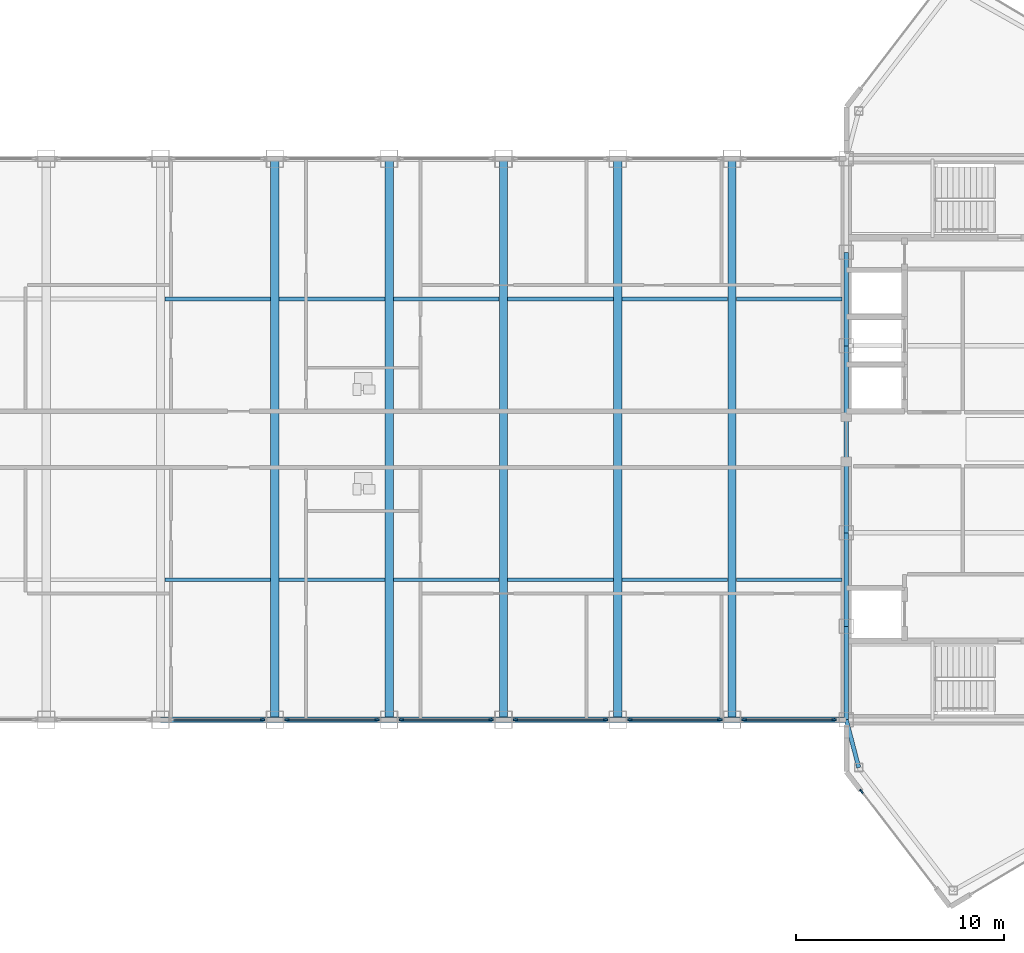
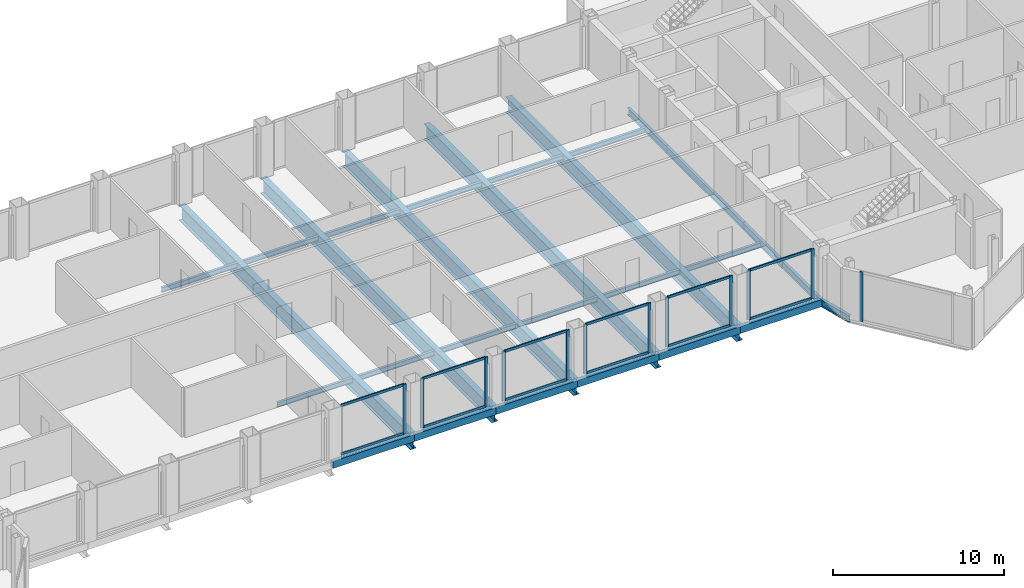
# One storey, part 13 of 29: 28 beams, 24 members, 7 elements without a shape of their own.
"""IFC4 building model written with IfcOpenShell, lengths in metres."""

from ifc_helpers import new_model, si_unit, direction, frame, origin, origin_2d, place, context, subcontext, project, spatial, rectangle, hollow_rectangle, i_section, extrude, source, transform, mapped, material, layer, layer_set, material_profile, profile_set, type_object, type_shapes, element, aggregate, save


model = new_model("IFC4")

# Units and contexts
model_context = context("Model", 3, precision=1e-05, world=origin(), true_north=direction((0.0, 1.0)))
body_context = subcontext(model_context, "Body", "Model", "MODEL_VIEW")
ifc_project = project(units=[si_unit("LENGTHUNIT", "METRE"), si_unit("AREAUNIT", "SQUARE_METRE"), si_unit("VOLUMEUNIT", "CUBIC_METRE"), si_unit("PLANEANGLEUNIT", "RADIAN"), si_unit("MASSUNIT", "GRAM", prefix="KILO")], contexts=[model_context])

# Site, building, storey
site_placement = place(None, origin())
site = spatial("IfcSite", under=ifc_project, at=site_placement, CompositionType="ELEMENT")
building_placement = place(site_placement, origin())
building = spatial("IfcBuilding", under=site, at=building_placement, Name="Seokmaru Belvedere", CompositionType="ELEMENT")
storey_placement = place(building_placement, frame((0.0, 0.0, 246.89990234375)))
storey = spatial("IfcBuildingStorey", under=building, at=storey_placement, Name="L65", CompositionType="ELEMENT", Elevation=246.89990234375)

# Beams
ifc_material_1 = material(Name="Steel SM355 (355 MPa)", Category="steel")
ifc_material_profile_1 = material_profile(ifc_material_1, i_section(OverallWidth=0.199951171875, OverallDepth=0.5, WebThickness=0.010009765625, FlangeThickness=0.01611328125, at=origin_2d()), Name="H-500x200x10x16")
ifc_profile_set_1 = profile_set([ifc_material_profile_1], Name="Steel SM355 (355 MPa)")
beam_type_1 = type_object("IfcBeamType", Name="Perimeter Spandrel Beam H-500", PredefinedType="SPANDREL", material=ifc_profile_set_1)
shared_shape_1 = source(origin(), body_context, "Body", "SweptSolid", [
    extrude(i_section(OverallWidth=0.199951171875, OverallDepth=0.5, WebThickness=0.010009765625, FlangeThickness=0.01611328125, at=origin_2d()), origin(), (0.0, 0.0, 1.0), 4.5),
])
for number, where, z_axis, x_axis, name in (
    (1, (27.5, -13.5, -0.469970703125), (0.0, 1.0, 0.0), (-1.0, 0.0, 0.0), "L65 E Portal Spine Spandrel 1"),
    (2, (27.5, -9.0, -0.469970703125), (0.0, 1.0, 0.0), (-1.0, 0.0, 0.0), "L65 E Portal Spine Spandrel 2"),
    (3, (27.5, 4.5, -0.469970703125), (0.0, 1.0, 0.0), (-1.0, 0.0, 0.0), "L65 E Portal Spine Spandrel 4"),
):
    element("IfcBeam", number, at=place(storey_placement, frame(where, z_axis=z_axis, x_axis=x_axis)), inside=storey, type_object=beam_type_1, Name=name, PredefinedType="SPANDREL", context=body_context, shape_type="MappedRepresentation", body=[
        mapped(shared_shape_1, transform((0.0, 0.0, 0.0), scale=1.0)),
    ])
shared_shape_2 = source(origin(), body_context, "Body", "SweptSolid", [
    extrude(i_section(OverallWidth=0.199951171875, OverallDepth=0.5, WebThickness=0.010009765625, FlangeThickness=0.01611328125, at=origin_2d()), origin(), (0.0, 0.0, 1.0), 9.0),
])
beam_1_placement = place(storey_placement, frame((27.5, -4.5, -0.469970703125), z_axis=(0.0, 1.0, 0.0), x_axis=(-1.0, 0.0, 0.0)))
element("IfcBeam", 4, at=beam_1_placement, inside=storey, type_object=beam_type_1, Name="L65 E Portal Spine Spandrel 3", PredefinedType="SPANDREL", context=body_context, shape_type="MappedRepresentation", body=[
    mapped(shared_shape_2, transform((0.0, 0.0, 0.0), scale=1.0)),
])
shared_shape_3 = source(origin(), body_context, "Body", "SweptSolid", [
    extrude(i_section(OverallWidth=0.199951171875, OverallDepth=0.5, WebThickness=0.010009765625, FlangeThickness=0.01611328125, at=origin_2d()), origin(), (0.0, 0.0, 1.0), 2.373046875),
])
type_shapes(beam_type_1, [shared_shape_1, shared_shape_2, shared_shape_3])
beam_2_placement = place(storey_placement, frame((28.10009765625, -15.7958984375, -0.469970703125), z_axis=(-0.252882558842, 0.967496982648, 0.0), x_axis=(-0.967496982648, -0.252882558842, 0.0)))
element("IfcBeam", 5, at=beam_2_placement, inside=storey, type_object=beam_type_1, Name="L65 E Shoulder Spine Spandrel S", PredefinedType="SPANDREL", context=body_context, shape_type="MappedRepresentation", body=[
    mapped(shared_shape_3, transform((0.0, 0.0, 0.0), scale=1.0)),
])
ifc_material_profile_2 = material_profile(ifc_material_1, i_section(OverallWidth=0.39990234375, OverallDepth=1.10009765625, WebThickness=0.02001953125, FlangeThickness=0.033935546875, at=origin_2d()), Name="BH-1100x400x20x34")
ifc_profile_set_2 = profile_set([ifc_material_profile_2], Name="Steel SM355 (355 MPa)")
beam_type_2 = type_object("IfcBeamType", Name="Sky-Gate Transverse Girder BH-1100", PredefinedType="BEAM", material=ifc_profile_set_2)
shared_shape_4 = source(origin(), body_context, "Body", "SweptSolid", [
    extrude(i_section(OverallWidth=0.39990234375, OverallDepth=1.10009765625, WebThickness=0.02001953125, FlangeThickness=0.033935546875, at=origin_2d()), origin(), (0.0, 0.0, 1.0), 27.0),
])
type_shapes(beam_type_2, [shared_shape_4])
for number, where, z_axis, x_axis, name in (
    (6, (0.0, -13.5, -0.77001953125), (0.0, 1.0, 0.0), (-1.0, 0.0, 0.0), "L65 Sky-Gate Transverse Girder 05"),
    (7, (5.5, -13.5, -0.77001953125), (0.0, 1.0, 0.0), (-1.0, 0.0, 0.0), "L65 Sky-Gate Transverse Girder 06"),
    (8, (11.0, -13.5, -0.77001953125), (0.0, 1.0, 0.0), (-1.0, 0.0, 0.0), "L65 Sky-Gate Transverse Girder 07"),
    (9, (16.5, -13.5, -0.77001953125), (0.0, 1.0, 0.0), (-1.0, 0.0, 0.0), "L65 Sky-Gate Transverse Girder 08"),
    (10, (22.0, -13.5, -0.77001953125), (0.0, 1.0, 0.0), (-1.0, 0.0, 0.0), "L65 Sky-Gate Transverse Girder 09"),
):
    element("IfcBeam", number, at=place(storey_placement, frame(where, z_axis=z_axis, x_axis=x_axis)), inside=storey, type_object=beam_type_2, Name=name, PredefinedType="BEAM", context=body_context, shape_type="MappedRepresentation", body=[
        mapped(shared_shape_4, transform((0.0, 0.0, 0.0), scale=1.0)),
    ])
ifc_material_profile_3 = material_profile(ifc_material_1, i_section(OverallWidth=0.175048828125, OverallDepth=0.35009765625, WebThickness=0.007080078125, FlangeThickness=0.010986328125, at=origin_2d()), Name="H-350x175x7x11")
ifc_profile_set_3 = profile_set([ifc_material_profile_3], Name="Steel SM355 (355 MPa)")
beam_type_3 = type_object("IfcBeamType", Name="Secondary Floor Joist H-300", PredefinedType="JOIST", material=ifc_profile_set_3)
shared_shape_5 = source(origin(), body_context, "Body", "SweptSolid", [
    extrude(i_section(OverallWidth=0.175048828125, OverallDepth=0.35009765625, WebThickness=0.007080078125, FlangeThickness=0.010986328125, at=origin_2d()), origin(), (0.0, 0.0, 1.0), 5.08984375),
])
type_shapes(beam_type_3, [shared_shape_5])
for number, where, z_axis, x_axis, name in (
    (11, (-5.294921875, -6.75, -0.39501953125), (1.0, 0.0, 0.0), (0.0, 1.0, 0.0), "L65 Sky-Gate Secondary Joist S-05"),
    (12, (0.205078125, -6.75, -0.39501953125), (1.0, 0.0, 0.0), (0.0, 1.0, 0.0), "L65 Sky-Gate Secondary Joist S-06"),
    (13, (5.705078125, -6.75, -0.39501953125), (1.0, 0.0, 0.0), (0.0, 1.0, 0.0), "L65 Sky-Gate Secondary Joist S-07"),
    (14, (11.205078125, -6.75, -0.39501953125), (1.0, 0.0, 0.0), (0.0, 1.0, 0.0), "L65 Sky-Gate Secondary Joist S-08"),
    (15, (16.705078125, -6.75, -0.39501953125), (1.0, 0.0, 0.0), (0.0, 1.0, 0.0), "L65 Sky-Gate Secondary Joist S-09"),
    (16, (22.205078125, -6.75, -0.39501953125), (1.0, 0.0, 0.0), (0.0, 1.0, 0.0), "L65 Sky-Gate Secondary Joist S-10"),
    (17, (-5.294921875, 6.75, -0.39501953125), (1.0, 0.0, 0.0), (0.0, 1.0, 0.0), "L65 Sky-Gate Secondary Joist N-05"),
    (18, (0.205078125, 6.75, -0.39501953125), (1.0, 0.0, 0.0), (0.0, 1.0, 0.0), "L65 Sky-Gate Secondary Joist N-06"),
    (19, (5.705078125, 6.75, -0.39501953125), (1.0, 0.0, 0.0), (0.0, 1.0, 0.0), "L65 Sky-Gate Secondary Joist N-07"),
    (20, (11.205078125, 6.75, -0.39501953125), (1.0, 0.0, 0.0), (0.0, 1.0, 0.0), "L65 Sky-Gate Secondary Joist N-08"),
    (21, (16.705078125, 6.75, -0.39501953125), (1.0, 0.0, 0.0), (0.0, 1.0, 0.0), "L65 Sky-Gate Secondary Joist N-09"),
    (22, (22.205078125, 6.75, -0.39501953125), (1.0, 0.0, 0.0), (0.0, 1.0, 0.0), "L65 Sky-Gate Secondary Joist N-10"),
):
    element("IfcBeam", number, at=place(storey_placement, frame(where, z_axis=z_axis, x_axis=x_axis)), inside=storey, type_object=beam_type_3, Name=name, PredefinedType="JOIST", context=body_context, shape_type="MappedRepresentation", body=[
        mapped(shared_shape_5, transform((0.0, 0.0, 0.0), scale=1.0)),
    ])
ifc_material_profile_4 = material_profile(ifc_material_1, hollow_rectangle(XDim=0.25, YDim=0.5, WallThickness=0.013916015625, at=origin_2d()), Name="RHS-500x250x14")
ifc_profile_set_4 = profile_set([ifc_material_profile_4], Name="Steel SM355 (355 MPa)")
beam_type_4 = type_object("IfcBeamType", Name="Bridge Edge Spandrel RHS-500", PredefinedType="SPANDREL", material=ifc_profile_set_4)
shared_shape_6 = source(origin(), body_context, "Body", "SweptSolid", [
    extrude(hollow_rectangle(XDim=0.25, YDim=0.5, WallThickness=0.013916015625, at=origin_2d()), origin(), (0.0, 0.0, 1.0), 5.5),
])
type_shapes(beam_type_4, [shared_shape_6])
for number, where, z_axis, x_axis, name in (
    (23, (-5.5, -13.5, -0.469970703125), (1.0, 0.0, 0.0), (0.0, 1.0, 0.0), "L65 Sky-Gate Bridge Edge Girder S-05"),
    (24, (0.0, -13.5, -0.469970703125), (1.0, 0.0, 0.0), (0.0, 1.0, 0.0), "L65 Sky-Gate Bridge Edge Girder S-06"),
    (25, (5.5, -13.5, -0.469970703125), (1.0, 0.0, 0.0), (0.0, 1.0, 0.0), "L65 Sky-Gate Bridge Edge Girder S-07"),
    (26, (11.0, -13.5, -0.469970703125), (1.0, 0.0, 0.0), (0.0, 1.0, 0.0), "L65 Sky-Gate Bridge Edge Girder S-08"),
    (27, (16.5, -13.5, -0.469970703125), (1.0, 0.0, 0.0), (0.0, 1.0, 0.0), "L65 Sky-Gate Bridge Edge Girder S-09"),
    (28, (22.0, -13.5, -0.469970703125), (1.0, 0.0, 0.0), (0.0, 1.0, 0.0), "L65 Sky-Gate Bridge Edge Girder S-10"),
):
    element("IfcBeam", number, at=place(storey_placement, frame(where, z_axis=z_axis, x_axis=x_axis)), inside=storey, type_object=beam_type_4, Name=name, PredefinedType="SPANDREL", context=body_context, shape_type="MappedRepresentation", body=[
        mapped(shared_shape_6, transform((0.0, 0.0, 0.0), scale=1.0)),
    ])

# Curtain wall, members
ifc_material_2 = material(Name="Bronze Triple Insulating Glass", Category="glass")
ifc_layer = layer(ifc_material_2, 0.219970703125)
ifc_layer_set = layer_set([ifc_layer], Name="Bronze Triple Insulating Glass")
curtain_wall_type = type_object("IfcCurtainWallType", Name="Sky-Gate Bridge Panorama Curtain Wall System CW-6", PredefinedType="NOTDEFINED", material=ifc_layer_set)
curtain_wall_1_placement = place(storey_placement, origin())
curtain_wall_1 = element("IfcCurtainWall", 29, at=curtain_wall_1_placement, inside=storey, type_object=curtain_wall_type, Name="L65 Curtain Wall BR_S05", PredefinedType="NOTDEFINED")
ifc_material_3 = material(Name="Anodised Bronze Aluminium", Category="aluminium")
ifc_material_profile_5 = material_profile(ifc_material_3, rectangle(XDim=0.074951171875, YDim=0.179931640625, at=origin_2d()), Name="CW-T-75x180")
ifc_profile_set_5 = profile_set([ifc_material_profile_5], Name="Anodised Bronze Aluminium")
member_type_1 = type_object("IfcMemberType", Name="Bronze Unitised Transom 75x180", PredefinedType="USERDEFINED", material=ifc_profile_set_5)
shared_shape_7 = source(origin(), body_context, "Body", "SweptSolid", [
    extrude(rectangle(XDim=0.074951171875, YDim=0.179931640625, at=origin_2d()), origin(), (0.0, 0.0, 1.0), 4.240234375),
])
type_shapes(member_type_1, [shared_shape_7])
member_1_placement = place(storey_placement, frame((-4.8701171875, -13.5, 0.03759765625), z_axis=(1.0, 0.0, 0.0), x_axis=(0.0, 1.0, 0.0)))
member_1 = element("IfcMember", 30, at=member_1_placement, type_object=member_type_1, Name="CW:L65:BR_S05 Continuous Transom 1", ObjectType="TRANSOM", PredefinedType="USERDEFINED", context=body_context, shape_type="MappedRepresentation", body=[
    mapped(shared_shape_7, transform((0.0, 0.0, 0.0), scale=1.0)),
])
member_2_placement = place(storey_placement, frame((-4.8701171875, -13.5, 3.49267578125), z_axis=(1.0, 0.0, 0.0), x_axis=(0.0, 1.0, 0.0)))
member_2 = element("IfcMember", 31, at=member_2_placement, type_object=member_type_1, Name="CW:L65:BR_S05 Continuous Transom 2", ObjectType="TRANSOM", PredefinedType="USERDEFINED", context=body_context, shape_type="MappedRepresentation", body=[
    mapped(shared_shape_7, transform((0.0, 0.0, 0.0), scale=1.0)),
])

curtain_wall_2_placement = place(storey_placement, origin())
curtain_wall_2 = element("IfcCurtainWall", 32, at=curtain_wall_2_placement, inside=storey, type_object=curtain_wall_type, Name="L65 Curtain Wall BR_S06", PredefinedType="NOTDEFINED")
member_3_placement = place(storey_placement, frame((0.6298828125, -13.5, 0.03759765625), z_axis=(1.0, 0.0, 0.0), x_axis=(0.0, 1.0, 0.0)))
member_3 = element("IfcMember", 33, at=member_3_placement, type_object=member_type_1, Name="CW:L65:BR_S06 Continuous Transom 1", ObjectType="TRANSOM", PredefinedType="USERDEFINED", context=body_context, shape_type="MappedRepresentation", body=[
    mapped(shared_shape_7, transform((0.0, 0.0, 0.0), scale=1.0)),
])
member_4_placement = place(storey_placement, frame((0.6298828125, -13.5, 3.49267578125), z_axis=(1.0, 0.0, 0.0), x_axis=(0.0, 1.0, 0.0)))
member_4 = element("IfcMember", 34, at=member_4_placement, type_object=member_type_1, Name="CW:L65:BR_S06 Continuous Transom 2", ObjectType="TRANSOM", PredefinedType="USERDEFINED", context=body_context, shape_type="MappedRepresentation", body=[
    mapped(shared_shape_7, transform((0.0, 0.0, 0.0), scale=1.0)),
])

curtain_wall_3_placement = place(storey_placement, origin())
curtain_wall_3 = element("IfcCurtainWall", 35, at=curtain_wall_3_placement, inside=storey, type_object=curtain_wall_type, Name="L65 Curtain Wall BR_S07", PredefinedType="NOTDEFINED")
member_5_placement = place(storey_placement, frame((6.1298828125, -13.5, 0.03759765625), z_axis=(1.0, 0.0, 0.0), x_axis=(0.0, 1.0, 0.0)))
member_5 = element("IfcMember", 36, at=member_5_placement, type_object=member_type_1, Name="CW:L65:BR_S07 Continuous Transom 1", ObjectType="TRANSOM", PredefinedType="USERDEFINED", context=body_context, shape_type="MappedRepresentation", body=[
    mapped(shared_shape_7, transform((0.0, 0.0, 0.0), scale=1.0)),
])
member_6_placement = place(storey_placement, frame((6.1298828125, -13.5, 3.49267578125), z_axis=(1.0, 0.0, 0.0), x_axis=(0.0, 1.0, 0.0)))
member_6 = element("IfcMember", 37, at=member_6_placement, type_object=member_type_1, Name="CW:L65:BR_S07 Continuous Transom 2", ObjectType="TRANSOM", PredefinedType="USERDEFINED", context=body_context, shape_type="MappedRepresentation", body=[
    mapped(shared_shape_7, transform((0.0, 0.0, 0.0), scale=1.0)),
])

curtain_wall_4_placement = place(storey_placement, origin())
curtain_wall_4 = element("IfcCurtainWall", 38, at=curtain_wall_4_placement, inside=storey, type_object=curtain_wall_type, Name="L65 Curtain Wall BR_S08", PredefinedType="NOTDEFINED")
member_7_placement = place(storey_placement, frame((11.6298828125, -13.5, 0.03759765625), z_axis=(1.0, 0.0, 0.0), x_axis=(0.0, 1.0, 0.0)))
member_7 = element("IfcMember", 39, at=member_7_placement, type_object=member_type_1, Name="CW:L65:BR_S08 Continuous Transom 1", ObjectType="TRANSOM", PredefinedType="USERDEFINED", context=body_context, shape_type="MappedRepresentation", body=[
    mapped(shared_shape_7, transform((0.0, 0.0, 0.0), scale=1.0)),
])
member_8_placement = place(storey_placement, frame((11.6298828125, -13.5, 3.49267578125), z_axis=(1.0, 0.0, 0.0), x_axis=(0.0, 1.0, 0.0)))
member_8 = element("IfcMember", 40, at=member_8_placement, type_object=member_type_1, Name="CW:L65:BR_S08 Continuous Transom 2", ObjectType="TRANSOM", PredefinedType="USERDEFINED", context=body_context, shape_type="MappedRepresentation", body=[
    mapped(shared_shape_7, transform((0.0, 0.0, 0.0), scale=1.0)),
])

curtain_wall_5_placement = place(storey_placement, origin())
curtain_wall_5 = element("IfcCurtainWall", 41, at=curtain_wall_5_placement, inside=storey, type_object=curtain_wall_type, Name="L65 Curtain Wall BR_S09", PredefinedType="NOTDEFINED")
member_9_placement = place(storey_placement, frame((17.1298828125, -13.5, 0.03759765625), z_axis=(1.0, 0.0, 0.0), x_axis=(0.0, 1.0, 0.0)))
member_9 = element("IfcMember", 42, at=member_9_placement, type_object=member_type_1, Name="CW:L65:BR_S09 Continuous Transom 1", ObjectType="TRANSOM", PredefinedType="USERDEFINED", context=body_context, shape_type="MappedRepresentation", body=[
    mapped(shared_shape_7, transform((0.0, 0.0, 0.0), scale=1.0)),
])
member_10_placement = place(storey_placement, frame((17.1298828125, -13.5, 3.49267578125), z_axis=(1.0, 0.0, 0.0), x_axis=(0.0, 1.0, 0.0)))
member_10 = element("IfcMember", 43, at=member_10_placement, type_object=member_type_1, Name="CW:L65:BR_S09 Continuous Transom 2", ObjectType="TRANSOM", PredefinedType="USERDEFINED", context=body_context, shape_type="MappedRepresentation", body=[
    mapped(shared_shape_7, transform((0.0, 0.0, 0.0), scale=1.0)),
])

curtain_wall_6_placement = place(storey_placement, origin())
curtain_wall_6 = element("IfcCurtainWall", 44, at=curtain_wall_6_placement, inside=storey, type_object=curtain_wall_type, Name="L65 Curtain Wall BR_S10", PredefinedType="NOTDEFINED")
member_11_placement = place(storey_placement, frame((22.6298828125, -13.5, 0.03759765625), z_axis=(1.0, 0.0, 0.0), x_axis=(0.0, 1.0, 0.0)))
member_11 = element("IfcMember", 45, at=member_11_placement, type_object=member_type_1, Name="CW:L65:BR_S10 Continuous Transom 1", ObjectType="TRANSOM", PredefinedType="USERDEFINED", context=body_context, shape_type="MappedRepresentation", body=[
    mapped(shared_shape_7, transform((0.0, 0.0, 0.0), scale=1.0)),
])
member_12_placement = place(storey_placement, frame((22.6298828125, -13.5, 3.49267578125), z_axis=(1.0, 0.0, 0.0), x_axis=(0.0, 1.0, 0.0)))
member_12 = element("IfcMember", 46, at=member_12_placement, type_object=member_type_1, Name="CW:L65:BR_S10 Continuous Transom 2", ObjectType="TRANSOM", PredefinedType="USERDEFINED", context=body_context, shape_type="MappedRepresentation", body=[
    mapped(shared_shape_7, transform((0.0, 0.0, 0.0), scale=1.0)),
])

# Curtain wall, member
curtain_wall_7_placement = place(storey_placement, origin())
curtain_wall_7 = element("IfcCurtainWall", 47, at=curtain_wall_7_placement, inside=storey, type_object=curtain_wall_type, Name="L65 Curtain Wall EF6", PredefinedType="NOTDEFINED")
ifc_material_profile_6 = material_profile(ifc_material_3, rectangle(XDim=0.080078125, YDim=0.219970703125, at=origin_2d()), Name="CW-M-80x220")
ifc_profile_set_6 = profile_set([ifc_material_profile_6], Name="Anodised Bronze Aluminium")
member_type_2 = type_object("IfcMemberType", Name="Bronze Unitised Mullion 80x220", PredefinedType="MULLION", material=ifc_profile_set_6)
shared_shape_8 = source(origin(), body_context, "Body", "SweptSolid", [
    extrude(rectangle(XDim=0.080078125, YDim=0.219970703125, at=origin_2d()), origin(), (0.0, 0.0, 1.0), 3.530029296875),
])
type_shapes(member_type_2, [shared_shape_8])
member_13_placement = place(storey_placement, frame((28.2255859375, -16.943115234375, 0.0), z_axis=(0.0, 0.0, 1.0), x_axis=(0.792631353244, 0.609701187349, 0.0)))
member_13 = element("IfcMember", 48, at=member_13_placement, type_object=member_type_2, Name="CW:L65:EF6 Mullion 1", PredefinedType="MULLION", context=body_context, shape_type="MappedRepresentation", body=[
    mapped(shared_shape_8, transform((0.0, 0.0, 0.0), scale=1.0)),
])
aggregate(curtain_wall_7, [member_13])

# Member
member_14_placement = place(storey_placement, frame((-0.590087890625, -13.5, 0.0), z_axis=(0.0, 0.0, 1.0), x_axis=(0.0, 1.0, 0.0)))
member_14 = element("IfcMember", 49, at=member_14_placement, type_object=member_type_2, Name="CW:L65:BR_S05 Mullion 2", PredefinedType="MULLION", context=body_context, shape_type="MappedRepresentation", body=[
    mapped(shared_shape_8, transform((0.0, 0.0, 0.0), scale=1.0)),
])

aggregate(curtain_wall_1, [member_14, member_1, member_2])

member_15_placement = place(storey_placement, frame((0.590087890625, -13.5, 0.0), z_axis=(0.0, 0.0, 1.0), x_axis=(0.0, 1.0, 0.0)))
member_15 = element("IfcMember", 50, at=member_15_placement, type_object=member_type_2, Name="CW:L65:BR_S06 Mullion 1", PredefinedType="MULLION", context=body_context, shape_type="MappedRepresentation", body=[
    mapped(shared_shape_8, transform((0.0, 0.0, 0.0), scale=1.0)),
])

member_16_placement = place(storey_placement, frame((4.909912109375, -13.5, 0.0), z_axis=(0.0, 0.0, 1.0), x_axis=(0.0, 1.0, 0.0)))
member_16 = element("IfcMember", 51, at=member_16_placement, type_object=member_type_2, Name="CW:L65:BR_S06 Mullion 2", PredefinedType="MULLION", context=body_context, shape_type="MappedRepresentation", body=[
    mapped(shared_shape_8, transform((0.0, 0.0, 0.0), scale=1.0)),
])

aggregate(curtain_wall_2, [member_15, member_16, member_3, member_4])

member_17_placement = place(storey_placement, frame((6.090087890625, -13.5, 0.0), z_axis=(0.0, 0.0, 1.0), x_axis=(0.0, 1.0, 0.0)))
member_17 = element("IfcMember", 52, at=member_17_placement, type_object=member_type_2, Name="CW:L65:BR_S07 Mullion 1", PredefinedType="MULLION", context=body_context, shape_type="MappedRepresentation", body=[
    mapped(shared_shape_8, transform((0.0, 0.0, 0.0), scale=1.0)),
])

member_18_placement = place(storey_placement, frame((10.409912109375, -13.5, 0.0), z_axis=(0.0, 0.0, 1.0), x_axis=(0.0, 1.0, 0.0)))
member_18 = element("IfcMember", 53, at=member_18_placement, type_object=member_type_2, Name="CW:L65:BR_S07 Mullion 2", PredefinedType="MULLION", context=body_context, shape_type="MappedRepresentation", body=[
    mapped(shared_shape_8, transform((0.0, 0.0, 0.0), scale=1.0)),
])

aggregate(curtain_wall_3, [member_17, member_18, member_5, member_6])

member_19_placement = place(storey_placement, frame((11.590087890625, -13.5, 0.0), z_axis=(0.0, 0.0, 1.0), x_axis=(0.0, 1.0, 0.0)))
member_19 = element("IfcMember", 54, at=member_19_placement, type_object=member_type_2, Name="CW:L65:BR_S08 Mullion 1", PredefinedType="MULLION", context=body_context, shape_type="MappedRepresentation", body=[
    mapped(shared_shape_8, transform((0.0, 0.0, 0.0), scale=1.0)),
])

member_20_placement = place(storey_placement, frame((15.909912109375, -13.5, 0.0), z_axis=(0.0, 0.0, 1.0), x_axis=(0.0, 1.0, 0.0)))
member_20 = element("IfcMember", 55, at=member_20_placement, type_object=member_type_2, Name="CW:L65:BR_S08 Mullion 2", PredefinedType="MULLION", context=body_context, shape_type="MappedRepresentation", body=[
    mapped(shared_shape_8, transform((0.0, 0.0, 0.0), scale=1.0)),
])

aggregate(curtain_wall_4, [member_19, member_20, member_7, member_8])

member_21_placement = place(storey_placement, frame((17.090087890625, -13.5, 0.0), z_axis=(0.0, 0.0, 1.0), x_axis=(0.0, 1.0, 0.0)))
member_21 = element("IfcMember", 56, at=member_21_placement, type_object=member_type_2, Name="CW:L65:BR_S09 Mullion 1", PredefinedType="MULLION", context=body_context, shape_type="MappedRepresentation", body=[
    mapped(shared_shape_8, transform((0.0, 0.0, 0.0), scale=1.0)),
])

member_22_placement = place(storey_placement, frame((21.409912109375, -13.5, 0.0), z_axis=(0.0, 0.0, 1.0), x_axis=(0.0, 1.0, 0.0)))
member_22 = element("IfcMember", 57, at=member_22_placement, type_object=member_type_2, Name="CW:L65:BR_S09 Mullion 2", PredefinedType="MULLION", context=body_context, shape_type="MappedRepresentation", body=[
    mapped(shared_shape_8, transform((0.0, 0.0, 0.0), scale=1.0)),
])

aggregate(curtain_wall_5, [member_21, member_22, member_9, member_10])

member_23_placement = place(storey_placement, frame((22.590087890625, -13.5, 0.0), z_axis=(0.0, 0.0, 1.0), x_axis=(0.0, 1.0, 0.0)))
member_23 = element("IfcMember", 58, at=member_23_placement, type_object=member_type_2, Name="CW:L65:BR_S10 Mullion 1", PredefinedType="MULLION", context=body_context, shape_type="MappedRepresentation", body=[
    mapped(shared_shape_8, transform((0.0, 0.0, 0.0), scale=1.0)),
])

member_24_placement = place(storey_placement, frame((26.909912109375, -13.5, 0.0), z_axis=(0.0, 0.0, 1.0), x_axis=(0.0, 1.0, 0.0)))
member_24 = element("IfcMember", 59, at=member_24_placement, type_object=member_type_2, Name="CW:L65:BR_S10 Mullion 2", PredefinedType="MULLION", context=body_context, shape_type="MappedRepresentation", body=[
    mapped(shared_shape_8, transform((0.0, 0.0, 0.0), scale=1.0)),
])

aggregate(curtain_wall_6, [member_23, member_24, member_11, member_12])

save(model, "model.ifc")
